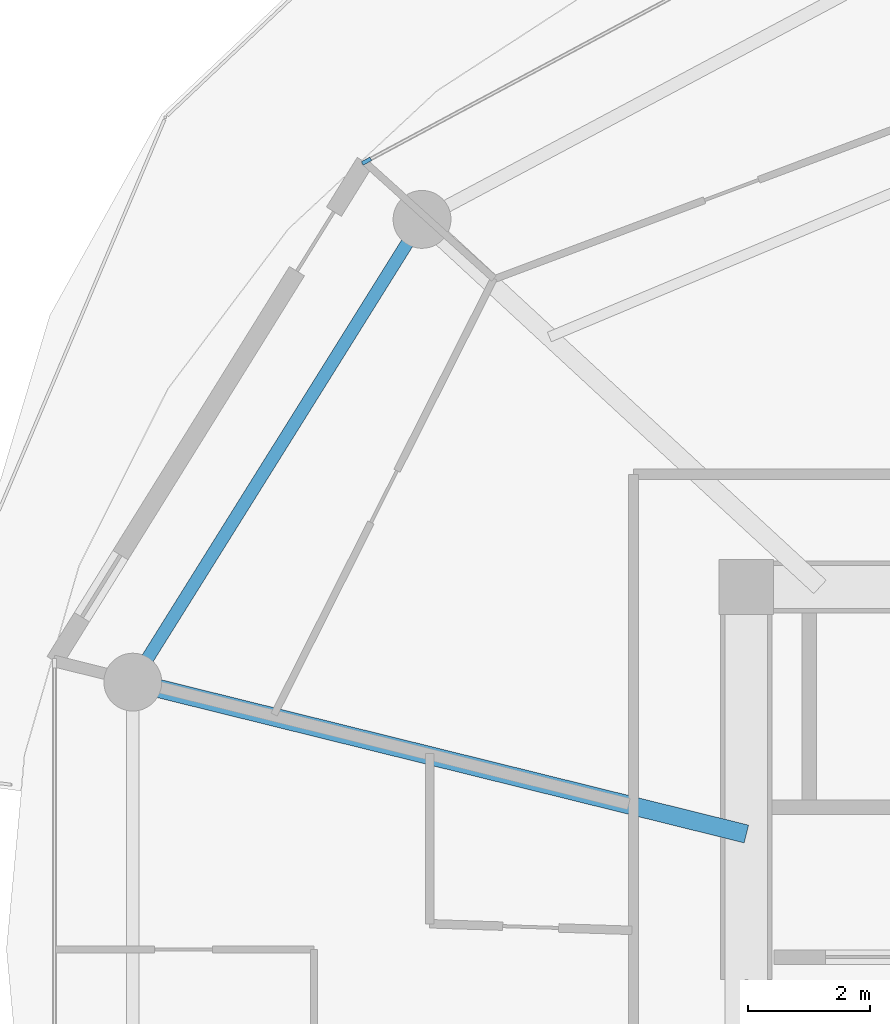
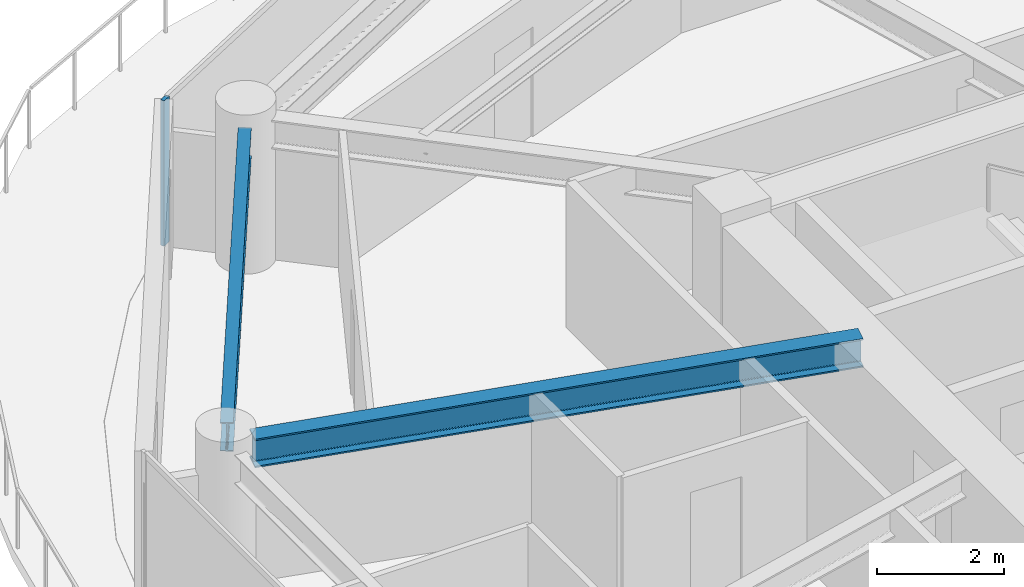
# One storey, part 8 of 27: 2 beams, 1 member, 1 element without a shape of its own.
"""IFC4 building model written with IfcOpenShell, lengths in metres."""

from ifc_helpers import new_model, si_unit, direction, frame, origin, origin_2d, place, context, subcontext, project, spatial, rectangle, i_section, extrude, source, transform, mapped, material, layer, layer_set, material_profile, profile_set, type_object, type_shapes, element, aggregate, save


model = new_model("IFC4")

# Units and contexts
model_context = context("Model", 3, precision=1e-05, world=origin(), true_north=direction((0.0, 1.0)))
body_context = subcontext(model_context, "Body", "Model", "MODEL_VIEW")
ifc_project = project(units=[si_unit("LENGTHUNIT", "METRE"), si_unit("AREAUNIT", "SQUARE_METRE"), si_unit("VOLUMEUNIT", "CUBIC_METRE"), si_unit("PLANEANGLEUNIT", "RADIAN"), si_unit("MASSUNIT", "GRAM", prefix="KILO")], contexts=[model_context])

# Site, building, storey
site_placement = place(None, origin())
site = spatial("IfcSite", under=ifc_project, at=site_placement, CompositionType="ELEMENT")
building_placement = place(site_placement, origin())
building = spatial("IfcBuilding", under=site, at=building_placement, Name="Norrkilde Senior Care Towers", CompositionType="ELEMENT")
storey_placement = place(building_placement, frame((0.0, 0.0, 61.25)))
storey = spatial("IfcBuildingStorey", under=building, at=storey_placement, Name="L18", CompositionType="ELEMENT", Elevation=61.25)

# Beams
ifc_material_1 = material(Name="Steel S355", Category="steel")
ifc_material_profile_1 = material_profile(ifc_material_1, i_section(OverallWidth=0.2099609375, OverallDepth=0.550048828125, WebThickness=0.010986328125, FlangeThickness=0.01708984375, FilletRadius=0.02392578125, at=origin_2d()), Name="IPE 550")
ifc_profile_set_1 = profile_set([ifc_material_profile_1], Name="Steel S355")
beam_type_1 = type_object("IfcBeamType", Name="Perimeter Ring Spandrel Z1 IPE550", PredefinedType="SPANDREL", material=ifc_profile_set_1)
shared_shape_1 = source(origin(), body_context, "Body", "SweptSolid", [
    extrude(i_section(OverallWidth=0.2099609375, OverallDepth=0.550048828125, WebThickness=0.010986328125, FlangeThickness=0.01708984375, FilletRadius=0.02392578125, at=origin_2d()), origin(), (0.0, 0.0, 1.0), 8.090576171875),
])
type_shapes(beam_type_1, [shared_shape_1])
beam_1_placement = place(storey_placement, frame((14.7939453125, 11.61669921875, 2.514892578125), z_axis=(-0.530004364821, -0.84799491347, 0.0), x_axis=(0.84799491347, -0.530004364821, 0.0)))
element("IfcBeam", 1, at=beam_1_placement, inside=storey, type_object=beam_type_1, Name="L18 Drum E Perimeter Spandrel 05", PredefinedType="SPANDREL", context=body_context, shape_type="MappedRepresentation", body=[
    mapped(shared_shape_1, transform((0.0, 0.0, 0.0), x_axis=(1.0, 0.0, 0.0), y_axis=(0.0, 1.0, 0.0), z_axis=(0.0, 0.0, 1.0), scale=1.0)),
])
ifc_material_profile_2 = material_profile(ifc_material_1, i_section(OverallWidth=0.300048828125, OverallDepth=0.550048828125, WebThickness=0.014892578125, FlangeThickness=0.029052734375, FilletRadius=0.027099609375, at=origin_2d()), Name="HEB 550")
ifc_profile_set_2 = profile_set([ifc_material_profile_2], Name="Steel S355")
beam_type_2 = type_object("IfcBeamType", Name="Radial Floor Beam Z1 HEB550", PredefinedType="BEAM", material=ifc_profile_set_2)
shared_shape_2 = source(origin(), body_context, "Body", "SweptSolid", [
    extrude(i_section(OverallWidth=0.300048828125, OverallDepth=0.550048828125, WebThickness=0.014892578125, FlangeThickness=0.029052734375, FilletRadius=0.027099609375, at=origin_2d()), origin(), (0.0, 0.0, 1.0), 9.94384765625),
])
type_shapes(beam_type_2, [shared_shape_2])
beam_2_placement = place(storey_placement, frame((20.35009765625, 1.893310546875, 2.514892578125), z_axis=(-0.970707425182, 0.240264634718, 0.0), x_axis=(-0.240264634718, -0.970707425182, 0.0)))
element("IfcBeam", 2, at=beam_2_placement, inside=storey, type_object=beam_type_2, Name="L18 Drum E Radial Floor Beam 06", PredefinedType="BEAM", context=body_context, shape_type="MappedRepresentation", body=[
    mapped(shared_shape_2, transform((0.0, 0.0, 0.0), x_axis=(1.0, 0.0, 0.0), y_axis=(0.0, 1.0, 0.0), z_axis=(0.0, 0.0, 1.0), scale=1.0)),
])

# Curtain wall, member
ifc_material_2 = material(Name="Triple Low-E Insulated Glazing", Category="glass")
ifc_layer = layer(ifc_material_2, 0.199951171875)
ifc_layer_set = layer_set([ifc_layer], Name="Triple Low-E Insulated Glazing")
curtain_wall_type = type_object("IfcCurtainWallType", Name="CW2 Zone 1 Memory Care Curtain Wall", PredefinedType="NOTDEFINED", material=ifc_layer_set)
curtain_wall_placement = place(storey_placement, origin())
curtain_wall = element("IfcCurtainWall", 3, at=curtain_wall_placement, inside=storey, type_object=curtain_wall_type, Name="L18 Drum E Curtain Wall 03", PredefinedType="NOTDEFINED")
ifc_material_3 = material(Name="Anodised Aluminium", Category="aluminium")
ifc_material_profile_3 = material_profile(ifc_material_3, rectangle(XDim=0.06494140625, YDim=0.159912109375, at=origin_2d()), Name="ALU MULL 65x160")
ifc_profile_set_3 = profile_set([ifc_material_profile_3], Name="Anodised Aluminium")
member_type = type_object("IfcMemberType", Name="Curtain Wall Mullion Z1-Z2 65x160", PredefinedType="MULLION", material=ifc_profile_set_3)
shared_shape_3 = source(origin(), body_context, "Body", "SweptSolid", [
    extrude(rectangle(XDim=0.06494140625, YDim=0.159912109375, at=origin_2d()), origin(), (0.0, 0.0, 1.0), 2.7900390625),
])
type_shapes(member_type, [shared_shape_3])
member_placement = place(storey_placement, frame((14.11279296875, 12.941162109375, 0.0), z_axis=(0.0, 0.0, 1.0), x_axis=(-0.472607802456, 0.881272866403, 0.0)))
member = element("IfcMember", 4, at=member_placement, type_object=member_type, Name="CW-2 mullion 1", PredefinedType="MULLION", context=body_context, shape_type="MappedRepresentation", body=[
    mapped(shared_shape_3, transform((0.0, 0.0, 0.0), x_axis=(1.0, 0.0, 0.0), y_axis=(0.0, 1.0, 0.0), z_axis=(0.0, 0.0, 1.0), scale=1.0)),
])
aggregate(curtain_wall, [member])

save(model, "model.ifc")
